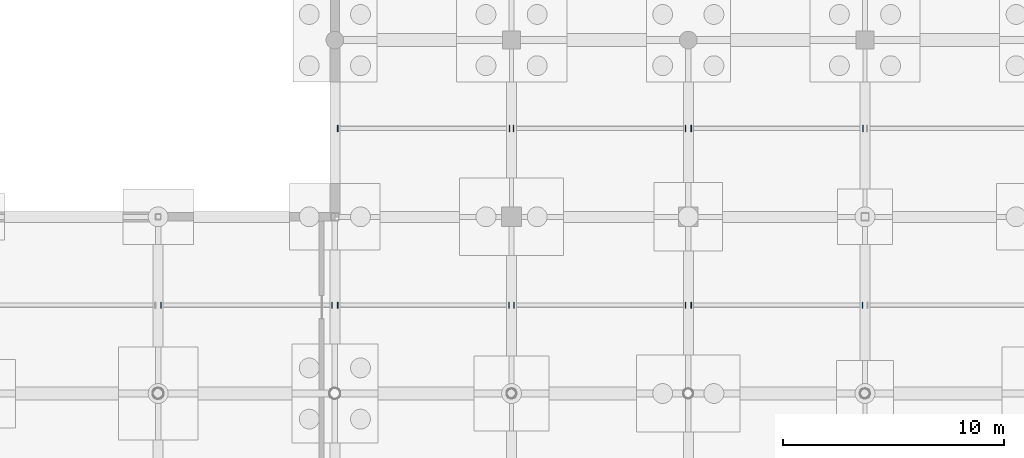
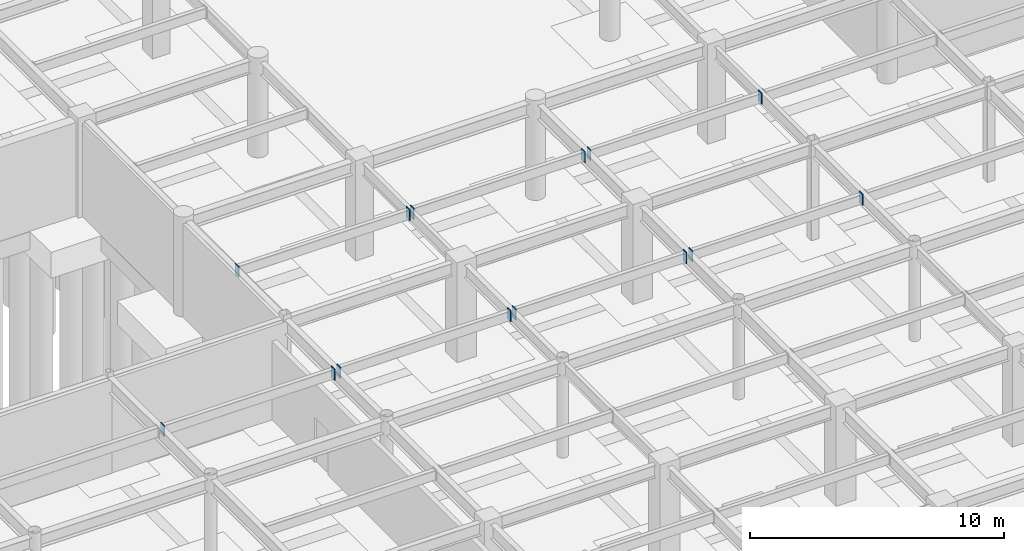
# One storey, part 72 of 105: 14 discrete accessories.
"""IFC4 building model written with IfcOpenShell, lengths in metres."""

from ifc_helpers import new_model, si_unit, direction, frame, origin, origin_2d, place, context, subcontext, project, spatial, rectangle, extrude, material, layer, layer_set, type_object, element, save


model = new_model("IFC4")

# Units and contexts
model_context = context("Model", 3, precision=1e-05, world=origin(), true_north=direction((0.0, 1.0)))
body_context = subcontext(model_context, "Body", "Model", "MODEL_VIEW")
ifc_project = project(units=[si_unit("LENGTHUNIT", "METRE"), si_unit("AREAUNIT", "SQUARE_METRE"), si_unit("VOLUMEUNIT", "CUBIC_METRE"), si_unit("PLANEANGLEUNIT", "RADIAN"), si_unit("MASSUNIT", "GRAM", prefix="KILO")], contexts=[model_context])

# Site, building, storey
site_placement = place(None, origin())
site = spatial("IfcSite", under=ifc_project, at=site_placement, CompositionType="ELEMENT")
building_placement = place(site_placement, origin())
building = spatial("IfcBuilding", under=site, at=building_placement, Name="Solmirada Galleria", CompositionType="ELEMENT")
storey_placement = place(building_placement, frame((0.0, 0.0, -4.800048828125)))
storey = spatial("IfcBuildingStorey", under=building, at=storey_placement, Name="B1", CompositionType="ELEMENT", Elevation=-4.800048828125)

# Discrete accessories
ifc_material = material(Name="Steel S355 / ASTM A572 Grade 50", Category="steel")
ifc_layer = layer(ifc_material, 0.031982421875)
ifc_layer_set = layer_set([ifc_layer], Name="Steel S355 / ASTM A572 Grade 50")
discrete_accessory_type = type_object("IfcDiscreteAccessoryType", Name="ACC-COL-CAP", PredefinedType="BRACKET", material=ifc_layer_set)
for number, where, z_axis, x_axis, name in (
    (1, (72.1279296875, 36.0, 4.08154296875), (0.0, 0.0, 1.0), (1.0, 0.0, 0.0), "Hollow joist end plate L00-10-05-L"),
    (2, (79.873046875, 36.0, 4.08154296875), (0.0, 0.0, 1.0), (1.0, 0.0, 0.0), "Hollow joist end plate L00-10-05-R"),
    (3, (80.126953125, 36.0, 4.08154296875), (0.0, 0.0, 1.0), (1.0, 0.0, 0.0), "Hollow joist end plate L00-11-05-L"),
    (4, (87.885986328125, 36.0, 4.08154296875), (0.0, 0.0, 1.0), (1.0, 0.0, 0.0), "Hollow joist end plate L00-11-05-R"),
    (5, (80.126953125, 44.0, 4.08154296875), (0.0, 0.0, 1.0), (1.0, 0.0, 0.0), "Hollow joist end plate L00-11-06-L"),
    (6, (87.910888671875, 44.0, 4.08154296875), (0.0, 0.0, 1.0), (1.0, 0.0, 0.0), "Hollow joist end plate L00-11-06-R"),
    (7, (88.114013671875, 36.0, 4.08154296875), (0.0, 0.0, 1.0), (1.0, 0.0, 0.0), "Hollow joist end plate L00-12-05-L"),
    (8, (95.8720703125, 36.0, 4.08154296875), (0.0, 0.0, 1.0), (1.0, 0.0, 0.0), "Hollow joist end plate L00-12-05-R"),
    (9, (88.089111328125, 44.0, 4.08154296875), (0.0, 0.0, 1.0), (1.0, 0.0, 0.0), "Hollow joist end plate L00-12-06-L"),
    (10, (95.8720703125, 44.0, 4.08154296875), (0.0, 0.0, 1.0), (1.0, 0.0, 0.0), "Hollow joist end plate L00-12-06-R"),
    (11, (96.1279296875, 36.0, 4.08154296875), (0.0, 0.0, 1.0), (1.0, 0.0, 0.0), "Hollow joist end plate L00-13-05-L"),
    (12, (103.885986328125, 36.0, 4.08154296875), (0.0, 0.0, 1.0), (1.0, 0.0, 0.0), "Hollow joist end plate L00-13-05-R"),
    (13, (96.1279296875, 44.0, 4.08154296875), (0.0, 0.0, 1.0), (1.0, 0.0, 0.0), "Hollow joist end plate L00-13-06-L"),
    (14, (103.910888671875, 44.0, 4.08154296875), (0.0, 0.0, 1.0), (1.0, 0.0, 0.0), "Hollow joist end plate L00-13-06-R"),
):
    element("IfcDiscreteAccessory", number, at=place(storey_placement, frame(where, z_axis=z_axis, x_axis=x_axis)), inside=storey, type_object=discrete_accessory_type, Name=name, PredefinedType="BRACKET", context=body_context, shape_type="SweptSolid", body=[
        extrude(rectangle(XDim=0.035888671875, YDim=0.280029296875, at=origin_2d()), origin(), (0.0, 0.0, 1.0), 0.5400390625),
    ])

save(model, "model.ifc")
